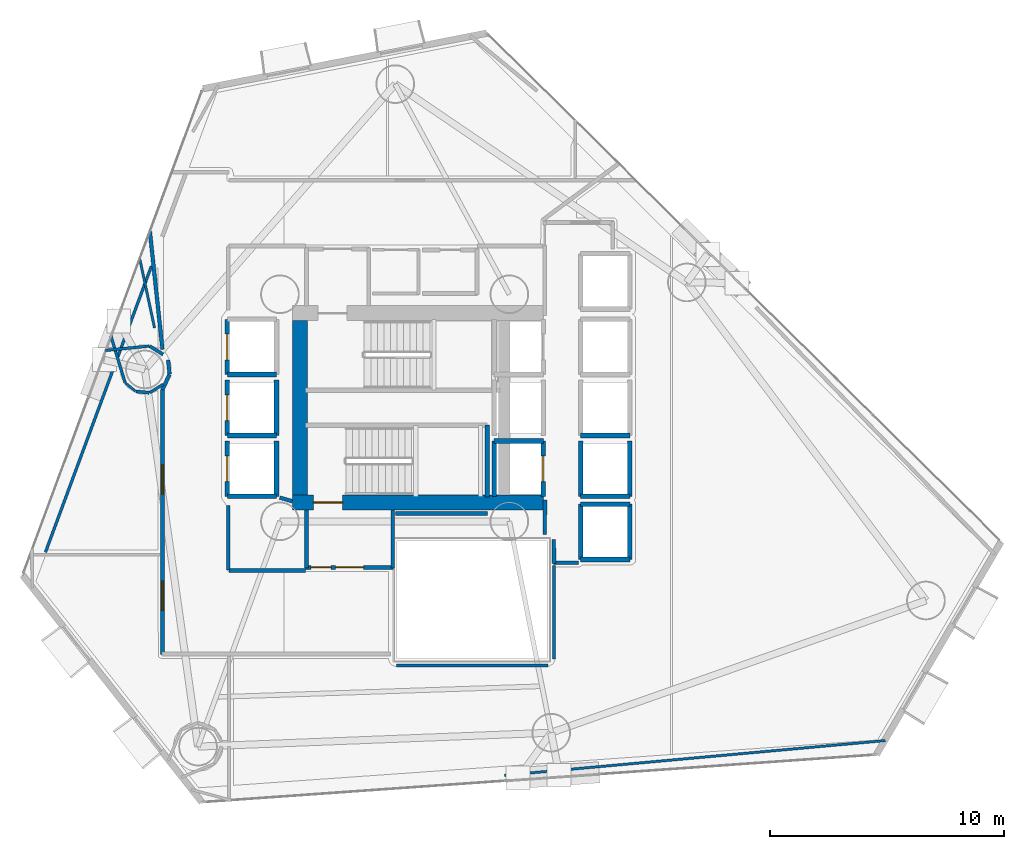
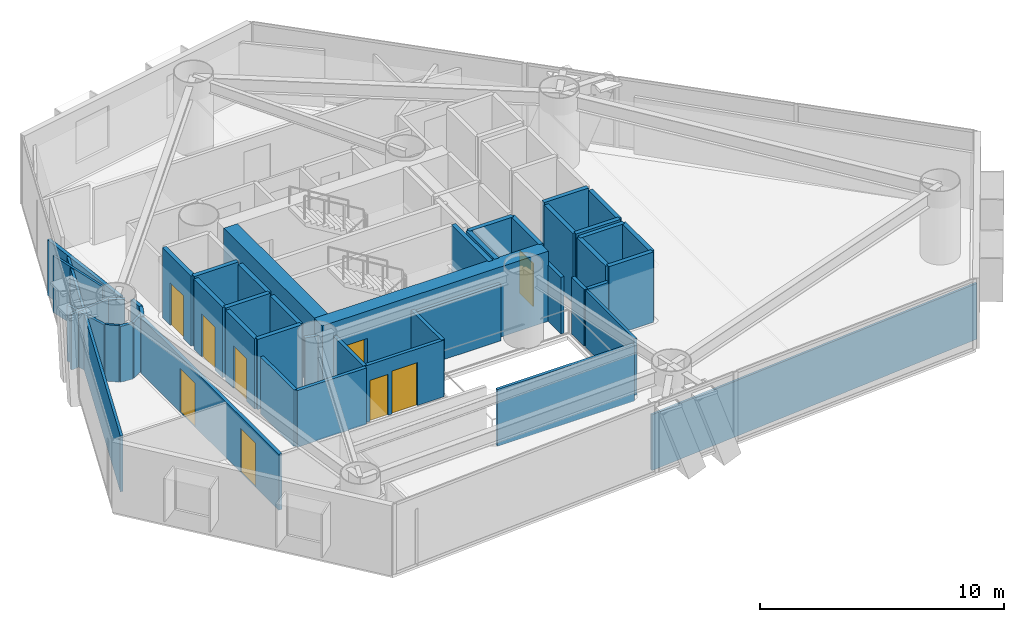
# One storey, part 18 of 24: 47 walls, 9 doors, 9 openings.
"""IFC4 building model written with IfcOpenShell, lengths in metres."""

import ifcopenshell
import ifcopenshell.guid

model = None  # the IFC model being written
_history = None  # IfcOwnerHistory: only IFC2X3 demands one
_inside = {}  # id of a spatial element -> (the spatial element, [elements in it])
_under = {}  # id of a project, library or spatial element -> (it, [spatial elements below it])
_declared = {}  # id of a project -> (the project, [libraries it declares])
_typed = {}  # id of a type object -> (the type object, [elements of that type])
_made_of = {}  # id of a material, layer set ... -> (it, [elements and type objects made of it])


def new_model(schema):
    """Start an empty IFC model of exactly this schema.

    Asked for "IFC4X3", IfcOpenShell would pick the latest addendum, in which some entities
    have other attributes; the version numbers below select the first issue.
    IFC2X3 requires an IfcOwnerHistory on every rooted entity: one is made here for all.
    """
    global model, _history
    if schema == "IFC4X3":
        model = ifcopenshell.file(schema_version=(4, 3, 0, 0))
    else:
        model = ifcopenshell.file(schema=schema)
    _inside.clear()
    _under.clear()
    _declared.clear()
    _typed.clear()
    _made_of.clear()
    _history = None
    if model.schema == "IFC2X3":
        org = make("IfcOrganization", Name="unknown")
        user = make(
            "IfcPersonAndOrganization",
            ThePerson=make("IfcPerson", FamilyName="unknown"),
            TheOrganization=org,
        )
        app = make(
            "IfcApplication",
            ApplicationDeveloper=org,
            Version="unknown",
            ApplicationFullName="unknown",
            ApplicationIdentifier="unknown",
        )
        _history = make(
            "IfcOwnerHistory",
            OwningUser=user,
            OwningApplication=app,
            ChangeAction="ADDED",
            CreationDate=0,
        )
    return model


def make(cls, **values):
    """One entity of the class cls with the attributes given. An attribute that is None is left unset."""
    return model.create_entity(
        cls, **{name: value for name, value in values.items() if value is not None}
    )


def rooted(cls, **values):
    """An entity with a GlobalId (a new one), such as an element, a storey or a relation."""
    return make(cls, GlobalId=ifcopenshell.guid.new(), OwnerHistory=_history, **values)


def si_unit(unit_type, name, prefix=None):
    """IfcSIUnit, for example si_unit("LENGTHUNIT", "METRE", prefix="MILLI")."""
    return make("IfcSIUnit", UnitType=unit_type, Prefix=prefix, Name=name)


def assignment(units):
    """IfcUnitAssignment: the units of a project."""
    return None if units is None else make("IfcUnitAssignment", Units=units)


def point(xyz):
    """IfcCartesianPoint."""
    return None if xyz is None else make("IfcCartesianPoint", Coordinates=xyz)


def direction(xyz):
    """IfcDirection."""
    return None if xyz is None else make("IfcDirection", DirectionRatios=xyz)


def frame(location, z_axis=None, x_axis=None):
    """IfcAxis2Placement3D, a coordinate frame: its origin and axes. An axis left out is left unset."""
    return make(
        "IfcAxis2Placement3D",
        Location=point(location),
        Axis=direction(z_axis),
        RefDirection=direction(x_axis),
    )


def frame_2d(location, x_axis=None):
    """IfcAxis2Placement2D, a coordinate frame in the plane: its origin and x axis."""
    return make(
        "IfcAxis2Placement2D", Location=point(location), RefDirection=direction(x_axis)
    )


def origin():
    """The frame at (0, 0, 0) with its axes left unset."""
    return frame((0.0, 0.0, 0.0))


def place(relative_to, where):
    """IfcLocalPlacement: puts the frame where relative to a parent placement (None: the world)."""
    return make(
        "IfcLocalPlacement", PlacementRelTo=relative_to, RelativePlacement=where
    )


def context(
    kind, dimensions, precision=None, world=None, true_north=None, identifier=None
):
    """IfcGeometricRepresentationContext, for example the 3D "Model" context."""
    return make(
        "IfcGeometricRepresentationContext",
        ContextIdentifier=identifier,
        ContextType=kind,
        CoordinateSpaceDimension=dimensions,
        Precision=precision,
        WorldCoordinateSystem=world,
        TrueNorth=true_north,
    )


def subcontext(parent, identifier, kind, view, scale=None):
    """IfcGeometricRepresentationSubContext, for example "Body" below "Model"."""
    return make(
        "IfcGeometricRepresentationSubContext",
        ContextIdentifier=identifier,
        ContextType=kind,
        ParentContext=parent,
        TargetScale=scale,
        TargetView=view,
    )


def project(units=None, contexts=None):
    """IfcProject with its units and contexts."""
    return rooted(
        "IfcProject",
        Name="project",
        RepresentationContexts=contexts,
        UnitsInContext=assignment(units),
    )


def spatial(cls, under=None, at=None, **own):
    """A site, building, storey or space (cls), placed at a placement, below another one or the project."""
    s = rooted(cls, ObjectPlacement=at, **own)
    if under is not None:
        _under.setdefault(under.id(), (under, []))[1].append(s)
    return s


def profile(cls, at=None, kind="AREA", **sizes):
    """A parametric profile (cls). Its sizes go by their IFC names, for example OverallWidth=200.0."""
    return make(cls, ProfileType=kind, Position=at, **sizes)


def rectangle(**sizes):
    """IfcRectangleProfileDef."""
    return profile("IfcRectangleProfileDef", **sizes)


def extrude(swept, where, along, depth):
    """IfcExtrudedAreaSolid: the profile swept, set in the frame where, extruded along a direction by depth."""
    return make(
        "IfcExtrudedAreaSolid",
        SweptArea=swept,
        Position=where,
        ExtrudedDirection=direction(along),
        Depth=depth,
    )


def shape(context_of_items, identifier, shape_type, items):
    """IfcShapeRepresentation: the items that make up one representation, for example the "Body"."""
    return make(
        "IfcShapeRepresentation",
        ContextOfItems=context_of_items,
        RepresentationIdentifier=identifier,
        RepresentationType=shape_type,
        Items=items,
    )


def material(Name=None, Category=None):
    """IfcMaterial."""
    return make("IfcMaterial", Name=Name, Category=Category)


def layer(
    of_material, thickness, ventilated=None, Name=None, Category=None, Priority=None
):
    """IfcMaterialLayer: one layer of a wall or slab, of a material (None: an air gap)."""
    return make(
        "IfcMaterialLayer",
        Material=of_material,
        LayerThickness=thickness,
        IsVentilated=ventilated,
        Name=Name,
        Category=Category,
        Priority=Priority,
    )


def layer_set(layers, Name=None):
    """IfcMaterialLayerSet."""
    return make("IfcMaterialLayerSet", MaterialLayers=layers, LayerSetName=Name)


def made_of(thing, what):
    """Note that an element or type object is made of a material, layer set ...; save() writes the relation."""
    if what is not None:
        _made_of.setdefault(what.id(), (what, []))[1].append(thing)
    return thing


def type_object(cls, material=None, **own):
    """A type object (cls), such as IfcWallType, which elements share."""
    return made_of(rooted(cls, **own), material)


def element(
    cls,
    number,
    at=None,
    inside=None,
    cuts=None,
    type_object=None,
    material=None,
    context=None,
    identifier="Body",
    shape_type=None,
    held_by="IfcProductDefinitionShape",
    body=None,
    shapes=None,
    **own,
):
    """One element of the class cls, such as IfcWall. Its Tag is "e" and its number.

    at: its placement. inside: the storey or other place that contains it. cuts: it is an
    opening in that element (IfcRelVoidsElement). A single representation is given by context,
    identifier, shape_type and body (its items); several are given by shapes. held_by: the class
    of the entity that holds the representations. save() writes the other relations.
    """
    e = rooted(cls, Tag="e%d" % number, ObjectPlacement=at, **own)
    if body is not None:
        shapes = [shape(context, identifier, shape_type, body)]
    if shapes is not None:
        e.Representation = make(held_by, Representations=shapes)
    if inside is not None:
        _inside.setdefault(inside.id(), (inside, []))[1].append(e)
    if cuts is not None:
        rooted(
            "IfcRelVoidsElement", RelatingBuildingElement=cuts, RelatedOpeningElement=e
        )
    if type_object is not None:
        _typed.setdefault(type_object.id(), (type_object, []))[1].append(e)
    return made_of(e, material)


def fill(opening, filler):
    """IfcRelFillsElement: the door or window that sits in an opening."""
    return rooted(
        "IfcRelFillsElement",
        RelatingOpeningElement=opening,
        RelatedBuildingElement=filler,
    )


def aggregate(whole, parts):
    """IfcRelAggregates: a whole, such as a stair, and the parts it consists of."""
    return rooted("IfcRelAggregates", RelatingObject=whole, RelatedObjects=parts)


def save(model, path):
    """Write the relations noted so far, then the file.

    IfcRelAggregates (storeys below a building ...), IfcRelContainedInSpatialStructure (elements
    in a storey), IfcRelDefinesByType, IfcRelAssociatesMaterial and IfcRelDeclares: one each for
    every whole, place, type object, material and project.
    """
    for whole, parts in _under.values():
        aggregate(whole, parts)
    for where, things in _inside.values():
        rooted(
            "IfcRelContainedInSpatialStructure",
            RelatedElements=things,
            RelatingStructure=where,
        )
    for kind, things in _typed.values():
        rooted("IfcRelDefinesByType", RelatedObjects=things, RelatingType=kind)
    for what, things in _made_of.values():
        rooted("IfcRelAssociatesMaterial", RelatedObjects=things, RelatingMaterial=what)
    for by, libraries in _declared.values():
        rooted("IfcRelDeclares", RelatingContext=by, RelatedDefinitions=libraries)
    model.write(path)


model = new_model("IFC4")

# Units and contexts
model_context = context("Model", 3, precision=1e-05, world=origin(), true_north=direction((0.0, 1.0)))
body_context = subcontext(model_context, "Body", "Model", "MODEL_VIEW")
ifc_project = project(units=[si_unit("LENGTHUNIT", "METRE"), si_unit("AREAUNIT", "SQUARE_METRE"), si_unit("VOLUMEUNIT", "CUBIC_METRE"), si_unit("PLANEANGLEUNIT", "RADIAN"), si_unit("MASSUNIT", "GRAM", prefix="KILO")], contexts=[model_context])

# Site, building, storey
site_placement = place(None, origin())
site = spatial("IfcSite", under=ifc_project, at=site_placement, CompositionType="ELEMENT")
building_placement = place(site_placement, origin())
building = spatial("IfcBuilding", under=site, at=building_placement, Name="Qianvela Tower", CompositionType="ELEMENT")
storey_placement = place(building_placement, frame((0.0, 0.0, 59.89990234375)))
storey = spatial("IfcBuildingStorey", under=building, at=storey_placement, Name="L14", CompositionType="ELEMENT", Elevation=59.89990234375)

# Wall, opening, door
ifc_material_1 = material(Name="Concrete C60", Category="concrete")
ifc_layer_1 = layer(ifc_material_1, 0.64990234375)
ifc_layer_set_1 = layer_set([ifc_layer_1], Name="Concrete C60")
wall_type_1 = type_object("IfcWallType", Name="WT-CORE-650", PredefinedType="SHEAR", material=ifc_layer_set_1)
wall_1_placement = place(storey_placement, frame((29.1298828125, 24.655029296875, 0.0), z_axis=(0.0, 0.0, 1.0), x_axis=(1.0, 0.0, 0.0)))
wall_1 = element("IfcWall", 1, at=wall_1_placement, inside=storey, type_object=wall_type_1, Name="L14 South Core Shear Wall", PredefinedType="SHEAR", context=body_context, shape_type="SweptSolid", body=[
    extrude(rectangle(XDim=10.72021484375, YDim=0.64990234375, at=frame_2d((5.360107421875, 0.0))), origin(), (0.0, 0.0, 1.0), 3.52001953125),
])
opening_1_placement = place(wall_1_placement, frame((0.89501953125, 0.0, 0.0)))
opening_1 = element("IfcOpeningElement", 2, at=opening_1_placement, cuts=wall_1, Name="Opening D-ST1", PredefinedType="OPENING", context=body_context, shape_type="SweptSolid", body=[
    extrude(rectangle(XDim=1.25, YDim=2.14990234375, at=frame_2d((0.625, 1.074951171875))), frame((0.0, 0.3349609375, 0.0), z_axis=(0.0, -1.0, 0.0), x_axis=(1.0, 0.0, 0.0)), (0.0, 0.0, 1.0), 0.669921875),
])
ifc_material_2 = material(Name="Galvanised Fire Steel Q355B", Category="steel")
door_type_1 = type_object("IfcDoorType", Name="DT-STAIR-FD90", OperationType="NOTDEFINED", PredefinedType="DOOR", material=ifc_material_2)
door_1_placement = place(opening_1_placement, origin())
door_1 = element("IfcDoor", 3, at=door_1_placement, inside=storey, type_object=door_type_1, Name="L14 Stair ST-2 Exit Door", OperationType="SINGLE_SWING_RIGHT", OverallHeight=2.14990234375, OverallWidth=1.25, PredefinedType="DOOR", context=body_context, shape_type="SweptSolid", body=[
    extrude(rectangle(XDim=1.25, YDim=2.14990234375, at=frame_2d((0.625, 1.074951171875))), frame((0.0, 0.02490234375, 0.0), z_axis=(0.0, -1.0, 0.0), x_axis=(1.0, 0.0, 0.0)), (0.0, 0.0, 1.0), 0.050048828125),
])
fill(opening_1, door_1)

# Wall
wall_2_placement = place(storey_placement, frame((29.455078125, 24.97998046875, 0.0), z_axis=(0.0, 0.0, 1.0), x_axis=(0.0, 1.0, 0.0)))
element("IfcWall", 4, at=wall_2_placement, inside=storey, type_object=wall_type_1, Name="L14 West Core Shear Wall", PredefinedType="SHEAR", context=body_context, shape_type="SweptSolid", body=[
    extrude(rectangle(XDim=7.43994140625, YDim=0.64990234375, at=frame_2d((3.719970703125, 0.0))), origin(), (0.0, 0.0, 1.0), 3.52001953125),
])

# Wall, openings, doors
ifc_material_3 = material(Name="Fire-Rated Gypsum and Concrete Block", Category="concrete")
ifc_layer_2 = layer(ifc_material_3, 0.159912109375)
ifc_layer_set_2 = layer_set([ifc_layer_2], Name="Fire-Rated Gypsum and Concrete Block")
wall_type_2 = type_object("IfcWallType", Name="WT-CORR-160", PredefinedType="PARTITIONING", material=ifc_layer_set_2)
wall_3_placement = place(storey_placement, frame((33.449951171875, 21.881103515625, 0.0), z_axis=(0.0, 0.0, 1.0), x_axis=(-1.0, 0.0, 0.0)))
wall_3 = element("IfcWall", 5, at=wall_3_placement, inside=storey, type_object=wall_type_2, Name="L14 Partition 5", PredefinedType="PARTITIONING", context=body_context, shape_type="SweptSolid", body=[
    extrude(rectangle(XDim=3.75, YDim=0.159912109375, at=frame_2d((1.875, 0.0))), origin(), (0.0, 0.0, 1.0), 2.840087890625),
])
opening_2_placement = place(wall_3_placement, frame((1.27490234375, 0.0, 0.0)))
opening_2 = element("IfcOpeningElement", 6, at=opening_2_placement, cuts=wall_3, Name="Opening D-LB1", PredefinedType="OPENING", context=body_context, shape_type="SweptSolid", body=[
    extrude(rectangle(XDim=1.199951171875, YDim=2.14990234375, at=frame_2d((0.60009765625, 1.074951171875))), frame((0.0, 0.08984375, 0.0), z_axis=(0.0, -1.0, 0.0), x_axis=(1.0, 0.0, 0.0)), (0.0, 0.0, 1.0), 0.179931640625),
])
opening_3_placement = place(wall_3_placement, frame((2.659912109375, 0.0, 0.0)))
opening_3 = element("IfcOpeningElement", 7, at=opening_3_placement, cuts=wall_3, Name="Opening D-LB2", PredefinedType="OPENING", context=body_context, shape_type="SweptSolid", body=[
    extrude(rectangle(XDim=0.860107421875, YDim=2.050048828125, at=frame_2d((0.43017578125, 1.02490234375))), frame((0.0, 0.08984375, 0.0), z_axis=(0.0, -1.0, 0.0), x_axis=(1.0, 0.0, 0.0)), (0.0, 0.0, 1.0), 0.179931640625),
])
ifc_material_4 = material(Name="Glazed Fire-Rated Steel Frame", Category="steel")
door_type_2 = type_object("IfcDoorType", Name="DT-LOBBY-FD90", OperationType="NOTDEFINED", PredefinedType="DOOR", material=ifc_material_4)
door_2_placement = place(opening_2_placement, origin())
door_2 = element("IfcDoor", 8, at=door_2_placement, inside=storey, type_object=door_type_2, Name="L14 Door L14 Firefighting Lobby South to L14 Floor Corridor", OperationType="SINGLE_SWING_LEFT", OverallHeight=2.14990234375, OverallWidth=1.199951171875, PredefinedType="DOOR", context=body_context, shape_type="SweptSolid", body=[
    extrude(rectangle(XDim=1.199951171875, YDim=2.14990234375, at=frame_2d((0.60009765625, 1.074951171875))), frame((0.0, 0.02490234375, 0.0), z_axis=(0.0, -1.0, 0.0), x_axis=(1.0, 0.0, 0.0)), (0.0, 0.0, 1.0), 0.050048828125),
])
fill(opening_2, door_2)
ifc_material_5 = material(Name="Insulated Steel Fire Door Q355B", Category="steel")
door_type_3 = type_object("IfcDoorType", Name="DT-LOBBY-FD90-860", OperationType="NOTDEFINED", PredefinedType="DOOR", material=ifc_material_5)
door_3_placement = place(opening_3_placement, origin())
door_3 = element("IfcDoor", 9, at=door_3_placement, inside=storey, type_object=door_type_3, Name="L14 Door L14 Firefighting Lobby South to L14 Floor Corridor", OperationType="SINGLE_SWING_LEFT", OverallHeight=2.050048828125, OverallWidth=0.860107421875, PredefinedType="DOOR", context=body_context, shape_type="SweptSolid", body=[
    extrude(rectangle(XDim=0.860107421875, YDim=2.050048828125, at=frame_2d((0.43017578125, 1.02490234375))), frame((0.0, 0.02490234375, 0.0), z_axis=(0.0, -1.0, 0.0), x_axis=(1.0, 0.0, 0.0)), (0.0, 0.0, 1.0), 0.050048828125),
])
fill(opening_3, door_3)

# Walls
for number, where, z_axis, x_axis, name in (
    (10, (29.73095703125, 21.85009765625, 0.0), (0.0, 0.0, 1.0), (0.0, 1.0, 0.0), "L14 Partition 6"),
    (11, (33.4189453125, 24.342041015625, 0.0), (0.0, 0.0, 1.0), (0.0, -1.0, 0.0), "L14 Partition 8"),
):
    element("IfcWall", number, at=place(storey_placement, frame(where, z_axis=z_axis, x_axis=x_axis)), inside=storey, type_object=wall_type_2, Name=name, PredefinedType="PARTITIONING", context=body_context, shape_type="SweptSolid", body=[
        extrude(rectangle(XDim=2.491943359375, YDim=0.159912109375, at=frame_2d((1.24609375, 0.0))), origin(), (0.0, 0.0, 1.0), 2.840087890625),
    ])
wall_4_placement = place(storey_placement, frame((41.360107421875, 22.0810546875, 0.0), z_axis=(0.0, 0.0, 1.0), x_axis=(-1.0, 0.0, 0.0)))
element("IfcWall", 12, at=wall_4_placement, inside=storey, type_object=wall_type_2, Name="L14 Partition 15", PredefinedType="PARTITIONING", context=body_context, shape_type="SweptSolid", body=[
    extrude(rectangle(XDim=1.080078125, YDim=0.159912109375, at=frame_2d((0.5400390625, 0.0))), origin(), (0.0, 0.0, 1.0), 2.840087890625),
])
wall_5_placement = place(storey_placement, frame((40.31103515625, 22.05029296875, 0.0), z_axis=(0.0, 0.0, 1.0), x_axis=(-0.011836292006, 0.999929948642, 0.0)))
element("IfcWall", 13, at=wall_5_placement, inside=storey, type_object=wall_type_2, Name="L14 Partition 16", PredefinedType="PARTITIONING", context=body_context, shape_type="SweptSolid", body=[
    extrude(rectangle(XDim=1.03125, YDim=0.159912109375, at=frame_2d((0.515625, 0.0))), origin(), (0.0, 0.0, 1.0), 2.840087890625),
])
wall_6_placement = place(storey_placement, frame((39.910888671875, 23.27978515625, 0.0), z_axis=(0.0, 0.0, 1.0), x_axis=(0.009397771291, 0.999955839972, 0.0)))
element("IfcWall", 14, at=wall_6_placement, inside=storey, type_object=wall_type_2, Name="L14 Partition 17", PredefinedType="PARTITIONING", context=body_context, shape_type="SweptSolid", body=[
    extrude(rectangle(XDim=1.480712890625, YDim=0.159912109375, at=frame_2d((0.740234375, 0.0))), origin(), (0.0, 0.0, 1.0), 2.840087890625),
])
wall_7_placement = place(storey_placement, frame((29.1298828125, 24.706298828125, 0.0), z_axis=(0.0, 0.0, 1.0), x_axis=(-0.960451214223, 0.278448316742, 0.0)))
element("IfcWall", 15, at=wall_7_placement, inside=storey, type_object=wall_type_2, Name="L14 Partition 31", PredefinedType="PARTITIONING", context=body_context, shape_type="SweptSolid", body=[
    extrude(rectangle(XDim=0.56201171875, YDim=0.159912109375, at=frame_2d((0.281005859375, 0.0))), origin(), (0.0, 0.0, 1.0), 2.840087890625),
])
wall_8_placement = place(storey_placement, frame((37.466552734375, 24.180908203125, 0.0), z_axis=(0.0, 0.0, 1.0), x_axis=(-1.0, 0.0, 0.0)))
element("IfcWall", 16, at=wall_8_placement, inside=storey, type_object=wall_type_2, Name="L14 Partition 38", PredefinedType="PARTITIONING", context=body_context, shape_type="SweptSolid", body=[
    extrude(rectangle(XDim=3.9365234375, YDim=0.159912109375, at=frame_2d((1.96826171875, 0.0))), origin(), (0.0, 0.0, 1.0), 2.840087890625),
])
wall_9_placement = place(storey_placement, frame((23.5810546875, 31.197265625, 0.0), z_axis=(0.0, 0.0, 1.0), x_axis=(-0.106272750785, 0.994337016529, 0.0)))
element("IfcWall", 17, at=wall_9_placement, inside=storey, type_object=wall_type_2, Name="L14 Partition 39", PredefinedType="PARTITIONING", context=body_context, shape_type="SweptSolid", body=[
    extrude(rectangle(XDim=5.0654296875, YDim=0.159912109375, at=frame_2d((2.53271484375, 0.0))), origin(), (0.0, 0.0, 1.0), 2.798095703125),
])
wall_10_placement = place(storey_placement, frame((26.388916015625, 24.530517578125, 0.0), z_axis=(0.0, 0.0, 1.0), x_axis=(0.0, -1.0, 0.0)))
element("IfcWall", 18, at=wall_10_placement, inside=storey, type_object=wall_type_2, Name="L14 Partition 48", PredefinedType="PARTITIONING", context=body_context, shape_type="SweptSolid", body=[
    extrude(rectangle(XDim=2.75048828125, YDim=0.159912109375, at=frame_2d((1.375244140625, 0.0))), origin(), (0.0, 0.0, 1.0), 2.840087890625),
])
wall_11_placement = place(storey_placement, frame((26.419921875, 21.7490234375, 0.0), z_axis=(0.0, 0.0, 1.0), x_axis=(1.0, 0.0, 0.0)))
element("IfcWall", 19, at=wall_11_placement, inside=storey, type_object=wall_type_2, Name="L14 Partition 49 seg 1", PredefinedType="PARTITIONING", context=body_context, shape_type="SweptSolid", body=[
    extrude(rectangle(XDim=3.280029296875, YDim=0.159912109375, at=frame_2d((1.64013671875, 0.0))), origin(), (0.0, 0.0, 1.0), 2.840087890625),
])

# Wall, openings, doors
wall_12_placement = place(storey_placement, frame((23.5810546875, 18.14990234375, 0.0), z_axis=(0.0, 0.0, 1.0), x_axis=(0.0, 1.0, 0.0)))
wall_12 = element("IfcWall", 20, at=wall_12_placement, inside=storey, type_object=wall_type_2, Name="L14 Partition 51", PredefinedType="PARTITIONING", context=body_context, shape_type="SweptSolid", body=[
    extrude(rectangle(XDim=11.3330078125, YDim=0.159912109375, at=frame_2d((5.66650390625, 0.0))), origin(), (0.0, 0.0, 1.0), 2.798095703125),
])
opening_4_placement = place(wall_12_placement, frame((1.8994140625, 0.0, 0.0)))
opening_4 = element("IfcOpeningElement", 21, at=opening_4_placement, cuts=wall_12, Name="Opening D-LG1", PredefinedType="OPENING", context=body_context, shape_type="SweptSolid", body=[
    extrude(rectangle(XDim=1.25, YDim=2.199951171875, at=frame_2d((0.625, 1.10009765625))), frame((0.0, 0.08984375, 0.0), z_axis=(0.0, -1.0, 0.0), x_axis=(1.0, 0.0, 0.0)), (0.0, 0.0, 1.0), 0.179931640625),
])
opening_5_placement = place(wall_12_placement, frame((6.866943359375, 0.0, 0.0)))
opening_5 = element("IfcOpeningElement", 22, at=opening_5_placement, cuts=wall_12, Name="Opening D-LG1", PredefinedType="OPENING", context=body_context, shape_type="SweptSolid", body=[
    extrude(rectangle(XDim=1.25, YDim=2.199951171875, at=frame_2d((0.625, 1.10009765625))), frame((0.0, 0.08984375, 0.0), z_axis=(0.0, -1.0, 0.0), x_axis=(1.0, 0.0, 0.0)), (0.0, 0.0, 1.0), 0.179931640625),
])
ifc_material_6 = material(Name="Anodised Aluminium Acoustic Glass Door", Category="aluminium")
door_type_4 = type_object("IfcDoorType", Name="DT-LOUNGE-1250", OperationType="NOTDEFINED", PredefinedType="DOOR", material=ifc_material_6)
door_4_placement = place(opening_4_placement, origin())
door_4 = element("IfcDoor", 23, at=door_4_placement, inside=storey, type_object=door_type_4, Name="L14 Door Media Practice Cinema L14-01 to L14 Floor Corridor", OperationType="SINGLE_SWING_RIGHT", OverallHeight=2.199951171875, OverallWidth=1.25, PredefinedType="DOOR", context=body_context, shape_type="SweptSolid", body=[
    extrude(rectangle(XDim=1.25, YDim=2.199951171875, at=frame_2d((0.625, 1.10009765625))), frame((0.0, 0.02490234375, 0.0), z_axis=(0.0, -1.0, 0.0), x_axis=(1.0, 0.0, 0.0)), (0.0, 0.0, 1.0), 0.050048828125),
])
fill(opening_4, door_4)
door_5_placement = place(opening_5_placement, origin())
door_5 = element("IfcDoor", 24, at=door_5_placement, inside=storey, type_object=door_type_4, Name="L14 Door Maker Craft Workshop L14-03 to L14 Floor Corridor", OperationType="SINGLE_SWING_RIGHT", OverallHeight=2.199951171875, OverallWidth=1.25, PredefinedType="DOOR", context=body_context, shape_type="SweptSolid", body=[
    extrude(rectangle(XDim=1.25, YDim=2.199951171875, at=frame_2d((0.625, 1.10009765625))), frame((0.0, 0.02490234375, 0.0), z_axis=(0.0, -1.0, 0.0), x_axis=(1.0, 0.0, 0.0)), (0.0, 0.0, 1.0), 0.050048828125),
])
fill(opening_5, door_5)

# Walls
wall_13_placement = place(storey_placement, frame((23.578125, 29.4697265625, 0.0), z_axis=(0.0, 0.0, 1.0), x_axis=(0.421827918194, 0.906675910914, 0.0)))
element("IfcWall", 25, at=wall_13_placement, inside=storey, type_object=wall_type_2, Name="L14 Partition 52", PredefinedType="PARTITIONING", context=body_context, shape_type="SweptSolid", body=[
    extrude(rectangle(XDim=0.720458984375, YDim=0.159912109375, at=frame_2d((0.3603515625, 0.0))), origin(), (0.0, 0.0, 1.0), 2.840087890625),
])
wall_14_placement = place(storey_placement, frame((23.884765625, 30.13916015625, 0.0), z_axis=(0.0, 0.0, 1.0), x_axis=(-0.0981888168, 0.995167803064, 0.0)))
element("IfcWall", 26, at=wall_14_placement, inside=storey, type_object=wall_type_2, Name="L14 Partition 53", PredefinedType="PARTITIONING", context=body_context, shape_type="SweptSolid", body=[
    extrude(rectangle(XDim=0.606689453125, YDim=0.159912109375, at=frame_2d((0.30322265625, 0.0))), origin(), (0.0, 0.0, 1.0), 2.840087890625),
])
ifc_material_7 = material(Name="Lightweight Gypsum Room Partition")
ifc_layer_3 = layer(ifc_material_7, 0.10498046875)
ifc_layer_set_3 = layer_set([ifc_layer_3], Name="Lightweight Gypsum Room Partition")
wall_type_3 = type_object("IfcWallType", Name="WT-PART-105", PredefinedType="PARTITIONING", material=ifc_layer_set_3)
wall_15_placement = place(storey_placement, frame((54.46044921875, 14.4833984375, 0.0), z_axis=(0.0, 0.0, 1.0), x_axis=(-0.995866332249, -0.090830877425, 0.0)))
element("IfcWall", 27, at=wall_15_placement, inside=storey, type_object=wall_type_3, Name="L14 Partition 89 seg 1", PredefinedType="PARTITIONING", context=body_context, shape_type="SweptSolid", body=[
    extrude(rectangle(XDim=16.334228515625, YDim=0.10498046875, at=frame_2d((8.1669921875, 0.0))), origin(), (0.0, 0.0, 1.0), 2.798095703125),
])
wall_16_placement = place(storey_placement, frame((21.990234375, 29.768798828125, 0.0), z_axis=(0.0, 0.0, 1.0), x_axis=(0.773062635709, -0.634329694458, 0.0)))
element("IfcWall", 28, at=wall_16_placement, inside=storey, type_object=wall_type_3, Name="L14 Partition 95", PredefinedType="PARTITIONING", context=body_context, shape_type="SweptSolid", body=[
    extrude(rectangle(XDim=0.572021484375, YDim=0.10498046875, at=frame_2d((0.2861328125, 0.0))), origin(), (0.0, 0.0, 1.0), 2.840087890625),
])
wall_17_placement = place(storey_placement, frame((22.60986328125, 35.065185546875, 0.0), z_axis=(0.0, 0.0, 1.0), x_axis=(0.209252989805, -0.977861537365, 0.0)))
element("IfcWall", 29, at=wall_17_placement, inside=storey, type_object=wall_type_3, Name="L14 Partition 101 seg 1", PredefinedType="PARTITIONING", context=body_context, shape_type="SweptSolid", body=[
    extrude(rectangle(XDim=3.01953125, YDim=0.10498046875, at=frame_2d((1.509765625, 0.0))), origin(), (0.0, 0.0, 1.0), 2.840087890625),
])
ifc_material_8 = material(Name="Insulated Gypsum Stud Partition")
ifc_layer_4 = layer(ifc_material_8, 0.1201171875)
ifc_layer_set_4 = layer_set([ifc_layer_4], Name="Insulated Gypsum Stud Partition")
wall_type_4 = type_object("IfcWallType", Name="WT-PART-120", PredefinedType="PARTITIONING", material=ifc_layer_set_4)
wall_18_placement = place(storey_placement, frame((40.309814453125, 17.972412109375, 0.0), z_axis=(0.0, 0.0, 1.0), x_axis=(0.000305362145, 0.999999953377, 0.0)))
element("IfcWall", 30, at=wall_18_placement, inside=storey, type_object=wall_type_4, Name="L14 Partition 73 seg 1", PredefinedType="PARTITIONING", context=body_context, shape_type="SweptSolid", body=[
    extrude(rectangle(XDim=3.99755859375, YDim=0.1201171875, at=frame_2d((1.998779296875, 0.0))), origin(), (0.0, 0.0, 1.0), 2.840087890625),
])
wall_19_placement = place(storey_placement, frame((23.01806640625, 31.3369140625, 0.0), z_axis=(0.0, 0.0, 1.0), x_axis=(-0.995197410875, -0.097888269922, 0.0)))
element("IfcWall", 31, at=wall_19_placement, inside=storey, type_object=wall_type_4, Name="L14 Partition 91", PredefinedType="PARTITIONING", context=body_context, shape_type="SweptSolid", body=[
    extrude(rectangle(XDim=1.885498046875, YDim=0.1201171875, at=frame_2d((0.94287109375, 0.0))), origin(), (0.0, 0.0, 1.0), 2.798095703125),
])
wall_20_placement = place(storey_placement, frame((21.377197265625, 31.771484375, 0.0), z_axis=(0.0, 0.0, 1.0), x_axis=(0.2903009614, -0.956935395839, 0.0)))
element("IfcWall", 32, at=wall_20_placement, inside=storey, type_object=wall_type_4, Name="L14 Partition 94", PredefinedType="PARTITIONING", context=body_context, shape_type="SweptSolid", body=[
    extrude(rectangle(XDim=2.0771484375, YDim=0.1201171875, at=frame_2d((1.03857421875, 0.0))), origin(), (0.0, 0.0, 1.0), 2.798095703125),
])
wall_21_placement = place(storey_placement, frame((23.03759765625, 29.34765625, 0.0), z_axis=(0.0, 0.0, 1.0), x_axis=(0.850157603054, 0.526528299306, 0.0)))
element("IfcWall", 33, at=wall_21_placement, inside=storey, type_object=wall_type_4, Name="L14 Partition 97", PredefinedType="PARTITIONING", context=body_context, shape_type="SweptSolid", body=[
    extrude(rectangle(XDim=0.677490234375, YDim=0.1201171875, at=frame_2d((0.3388671875, 0.0))), origin(), (0.0, 0.0, 1.0), 2.798095703125),
])
wall_22_placement = place(storey_placement, frame((18.58251953125, 22.53125, 0.0), z_axis=(0.0, 0.0, 1.0), x_axis=(0.347261250583, 0.937768427622, 0.0)))
element("IfcWall", 34, at=wall_22_placement, inside=storey, type_object=wall_type_4, Name="L14 Partition 100", PredefinedType="PARTITIONING", context=body_context, shape_type="SweptSolid", body=[
    extrude(rectangle(XDim=13.02685546875, YDim=0.1201171875, at=frame_2d((6.513427734375, 0.0))), origin(), (0.0, 0.0, 1.0), 2.798095703125),
])
ifc_material_9 = material(Name="Acoustic Double Gypsum Stud Partition")
ifc_layer_5 = layer(ifc_material_9, 0.139892578125)
ifc_layer_set_5 = layer_set([ifc_layer_5], Name="Acoustic Double Gypsum Stud Partition")
wall_type_5 = type_object("IfcWallType", Name="WT-ROOM-140", PredefinedType="PARTITIONING", material=ifc_layer_set_5)
wall_23_placement = place(storey_placement, frame((33.572509765625, 17.690185546875, 0.0), z_axis=(0.0, 0.0, 1.0), x_axis=(0.999999795023, 0.000640277071, 0.0)))
element("IfcWall", 35, at=wall_23_placement, inside=storey, type_object=wall_type_5, Name="L14 Partition 72", PredefinedType="PARTITIONING", context=body_context, shape_type="SweptSolid", body=[
    extrude(rectangle(XDim=6.482177734375, YDim=0.139892578125, at=frame_2d((3.2412109375, 0.0))), origin(), (0.0, 0.0, 1.0), 2.840087890625),
])
wall_24_placement = place(storey_placement, frame((23.6083984375, 30.981689453125, 0.0), z_axis=(0.0, 0.0, 1.0), x_axis=(-0.852045812822, 0.523467222328, 0.0)))
element("IfcWall", 36, at=wall_24_placement, inside=storey, type_object=wall_type_5, Name="L14 Partition 90", PredefinedType="PARTITIONING", context=body_context, shape_type="SweptSolid", body=[
    extrude(rectangle(XDim=0.670166015625, YDim=0.139892578125, at=frame_2d((0.3349609375, 0.0))), origin(), (0.0, 0.0, 1.0), 2.798095703125),
])
wall_25_placement = place(storey_placement, frame((22.448974609375, 29.399169921875, 0.0), z_axis=(0.0, 0.0, 1.0), x_axis=(0.995167364461, -0.098193262045, 0.0)))
element("IfcWall", 37, at=wall_25_placement, inside=storey, type_object=wall_type_5, Name="L14 Partition 96", PredefinedType="PARTITIONING", context=body_context, shape_type="SweptSolid", body=[
    extrude(rectangle(XDim=0.57177734375, YDim=0.139892578125, at=frame_2d((0.285888671875, 0.0))), origin(), (0.0, 0.0, 1.0), 2.798095703125),
])
ifc_material_10 = material(Name="Concrete C50", Category="concrete")
ifc_layer_6 = layer(ifc_material_10, 0.199951171875)
ifc_layer_set_6 = layer_set([ifc_layer_6], Name="Concrete C50")
wall_type_6 = type_object("IfcWallType", Name="WT-SHAFT-200", PredefinedType="SOLIDWALL", material=ifc_layer_set_6)
wall_26_placement = place(storey_placement, frame((37.449951171875, 24.89990234375, 0.0), z_axis=(0.0, 0.0, 1.0), x_axis=(0.0, 1.0, 0.0)))
element("IfcWall", 38, at=wall_26_placement, inside=storey, type_object=wall_type_6, Name="L14 Stair ST-2 East Wall", PredefinedType="SOLIDWALL", context=body_context, shape_type="SweptSolid", body=[
    extrude(rectangle(XDim=3.06005859375, YDim=0.199951171875, at=frame_2d((1.530029296875, 0.0))), origin(), (0.0, 0.0, 1.0), 3.52001953125),
])

# Wall, opening, door
wall_27_placement = place(storey_placement, frame((39.85009765625, 24.919921875, 0.0), z_axis=(0.0, 0.0, 1.0), x_axis=(0.0, 1.0, 0.0)))
wall_27 = element("IfcWall", 39, at=wall_27_placement, inside=storey, type_object=wall_type_6, Name="L14 Lift FL-2 E Shaft Wall", PredefinedType="SOLIDWALL", context=body_context, shape_type="SweptSolid", body=[
    extrude(rectangle(XDim=2.360107421875, YDim=0.199951171875, at=frame_2d((1.18017578125, 0.0))), origin(), (0.0, 0.0, 1.0), 3.52001953125),
])
opening_6_placement = place(wall_27_placement, frame((0.6298828125, 0.0, 0.0)))
opening_6 = element("IfcOpeningElement", 40, at=opening_6_placement, cuts=wall_27, Name="Opening LD-01", PredefinedType="OPENING", context=body_context, shape_type="SweptSolid", body=[
    extrude(rectangle(XDim=1.10009765625, YDim=2.14990234375, at=frame_2d((0.550048828125, 1.074951171875))), frame((0.0, 0.10986328125, 0.0), z_axis=(0.0, -1.0, 0.0), x_axis=(1.0, 0.0, 0.0)), (0.0, 0.0, 1.0), 0.219970703125),
])
ifc_material_11 = material(Name="Brushed Stainless Steel Lift Landing Door", Category="steel")
door_type_5 = type_object("IfcDoorType", Name="DT-LIFT-SLIDE-1100", OperationType="SLIDING_TO_LEFT", PredefinedType="DOOR", material=ifc_material_11)
door_6_placement = place(opening_6_placement, origin())
door_6 = element("IfcDoor", 41, at=door_6_placement, inside=storey, type_object=door_type_5, Name="L14 Lift FL-2 Sliding Landing Door", OperationType="SLIDING_TO_LEFT", OverallHeight=2.14990234375, OverallWidth=1.10009765625, PredefinedType="DOOR", context=body_context, shape_type="SweptSolid", body=[
    extrude(rectangle(XDim=1.10009765625, YDim=2.14990234375, at=frame_2d((0.550048828125, 1.074951171875))), frame((0.0, 0.02490234375, 0.0), z_axis=(0.0, -1.0, 0.0), x_axis=(1.0, 0.0, 0.0)), (0.0, 0.0, 1.0), 0.050048828125),
])
fill(opening_6, door_6)

# Walls
wall_28_placement = place(storey_placement, frame((37.75, 24.919921875, 0.0), z_axis=(0.0, 0.0, 1.0), x_axis=(0.0, 1.0, 0.0)))
element("IfcWall", 42, at=wall_28_placement, inside=storey, type_object=wall_type_6, Name="L14 Lift FL-2 W Shaft Wall", PredefinedType="SOLIDWALL", context=body_context, shape_type="SweptSolid", body=[
    extrude(rectangle(XDim=2.360107421875, YDim=0.199951171875, at=frame_2d((1.18017578125, 0.0))), origin(), (0.0, 0.0, 1.0), 3.52001953125),
])
wall_29_placement = place(storey_placement, frame((37.75, 27.280029296875, 0.0), z_axis=(0.0, 0.0, 1.0), x_axis=(1.0, 0.0, 0.0)))
element("IfcWall", 43, at=wall_29_placement, inside=storey, type_object=wall_type_6, Name="L14 Lift FL-2 N Shaft Wall", PredefinedType="SOLIDWALL", context=body_context, shape_type="SweptSolid", body=[
    extrude(rectangle(XDim=2.10009765625, YDim=0.199951171875, at=frame_2d((1.050048828125, 0.0))), origin(), (0.0, 0.0, 1.0), 3.52001953125),
])

# Wall, opening, door
wall_30_placement = place(storey_placement, frame((26.35009765625, 30.1201171875, 0.0), z_axis=(0.0, 0.0, 1.0), x_axis=(0.0, 1.0, 0.0)))
wall_30 = element("IfcWall", 44, at=wall_30_placement, inside=storey, type_object=wall_type_6, Name="L14 Lift PL-L1 W Shaft Wall", PredefinedType="SOLIDWALL", context=body_context, shape_type="SweptSolid", body=[
    extrude(rectangle(XDim=2.35986328125, YDim=0.199951171875, at=frame_2d((1.179931640625, 0.0))), origin(), (0.0, 0.0, 1.0), 3.52001953125),
])
opening_7_placement = place(wall_30_placement, frame((0.6298828125, 0.0, 0.0)))
opening_7 = element("IfcOpeningElement", 45, at=opening_7_placement, cuts=wall_30, Name="Opening LD-01", PredefinedType="OPENING", context=body_context, shape_type="SweptSolid", body=[
    extrude(rectangle(XDim=1.10009765625, YDim=2.14990234375, at=frame_2d((0.550048828125, 1.074951171875))), frame((0.0, 0.10986328125, 0.0), z_axis=(0.0, -1.0, 0.0), x_axis=(1.0, 0.0, 0.0)), (0.0, 0.0, 1.0), 0.219970703125),
])
door_7_placement = place(opening_7_placement, origin())
door_7 = element("IfcDoor", 46, at=door_7_placement, inside=storey, type_object=door_type_5, Name="L14 Lift PL-L1 Sliding Landing Door", OperationType="SLIDING_TO_LEFT", OverallHeight=2.14990234375, OverallWidth=1.10009765625, PredefinedType="DOOR", context=body_context, shape_type="SweptSolid", body=[
    extrude(rectangle(XDim=1.10009765625, YDim=2.14990234375, at=frame_2d((0.550048828125, 1.074951171875))), frame((0.0, 0.02490234375, 0.0), z_axis=(0.0, -1.0, 0.0), x_axis=(1.0, 0.0, 0.0)), (0.0, 0.0, 1.0), 0.050048828125),
])
fill(opening_7, door_7)

# Walls
wall_31_placement = place(storey_placement, frame((26.35009765625, 30.1201171875, 0.0), z_axis=(0.0, 0.0, 1.0), x_axis=(1.0, 0.0, 0.0)))
element("IfcWall", 47, at=wall_31_placement, inside=storey, type_object=wall_type_6, Name="L14 Lift PL-L1 S Shaft Wall", PredefinedType="SOLIDWALL", context=body_context, shape_type="SweptSolid", body=[
    extrude(rectangle(XDim=2.099853515625, YDim=0.199951171875, at=frame_2d((1.0498046875, 0.0))), origin(), (0.0, 0.0, 1.0), 3.52001953125),
])
wall_32_placement = place(storey_placement, frame((28.449951171875, 27.52001953125, 0.0), z_axis=(0.0, 0.0, 1.0), x_axis=(0.0, 1.0, 0.0)))
element("IfcWall", 48, at=wall_32_placement, inside=storey, type_object=wall_type_6, Name="L14 Lift PL-L2 E Shaft Wall", PredefinedType="SOLIDWALL", context=body_context, shape_type="SweptSolid", body=[
    extrude(rectangle(XDim=2.35986328125, YDim=0.199951171875, at=frame_2d((1.179931640625, 0.0))), origin(), (0.0, 0.0, 1.0), 3.52001953125),
])

# Wall, opening, door
wall_33_placement = place(storey_placement, frame((26.35009765625, 27.52001953125, 0.0), z_axis=(0.0, 0.0, 1.0), x_axis=(0.0, 1.0, 0.0)))
wall_33 = element("IfcWall", 49, at=wall_33_placement, inside=storey, type_object=wall_type_6, Name="L14 Lift PL-L2 W Shaft Wall", PredefinedType="SOLIDWALL", context=body_context, shape_type="SweptSolid", body=[
    extrude(rectangle(XDim=2.35986328125, YDim=0.199951171875, at=frame_2d((1.179931640625, 0.0))), origin(), (0.0, 0.0, 1.0), 3.52001953125),
])
opening_8_placement = place(wall_33_placement, frame((0.6298828125, 0.0, 0.0)))
opening_8 = element("IfcOpeningElement", 50, at=opening_8_placement, cuts=wall_33, Name="Opening LD-01", PredefinedType="OPENING", context=body_context, shape_type="SweptSolid", body=[
    extrude(rectangle(XDim=1.10009765625, YDim=2.14990234375, at=frame_2d((0.550048828125, 1.074951171875))), frame((0.0, 0.10986328125, 0.0), z_axis=(0.0, -1.0, 0.0), x_axis=(1.0, 0.0, 0.0)), (0.0, 0.0, 1.0), 0.219970703125),
])
door_8_placement = place(opening_8_placement, origin())
door_8 = element("IfcDoor", 51, at=door_8_placement, inside=storey, type_object=door_type_5, Name="L14 Lift PL-L2 Sliding Landing Door", OperationType="SLIDING_TO_LEFT", OverallHeight=2.14990234375, OverallWidth=1.10009765625, PredefinedType="DOOR", context=body_context, shape_type="SweptSolid", body=[
    extrude(rectangle(XDim=1.10009765625, YDim=2.14990234375, at=frame_2d((0.550048828125, 1.074951171875))), frame((0.0, 0.02490234375, 0.0), z_axis=(0.0, -1.0, 0.0), x_axis=(1.0, 0.0, 0.0)), (0.0, 0.0, 1.0), 0.050048828125),
])
fill(opening_8, door_8)

# Walls
wall_34_placement = place(storey_placement, frame((26.35009765625, 27.52001953125, 0.0), z_axis=(0.0, 0.0, 1.0), x_axis=(1.0, 0.0, 0.0)))
element("IfcWall", 52, at=wall_34_placement, inside=storey, type_object=wall_type_6, Name="L14 Lift PL-L2 S Shaft Wall", PredefinedType="SOLIDWALL", context=body_context, shape_type="SweptSolid", body=[
    extrude(rectangle(XDim=2.099853515625, YDim=0.199951171875, at=frame_2d((1.0498046875, 0.0))), origin(), (0.0, 0.0, 1.0), 3.52001953125),
])
wall_35_placement = place(storey_placement, frame((28.449951171875, 24.919921875, 0.0), z_axis=(0.0, 0.0, 1.0), x_axis=(0.0, 1.0, 0.0)))
element("IfcWall", 53, at=wall_35_placement, inside=storey, type_object=wall_type_6, Name="L14 Lift PL-L3 E Shaft Wall", PredefinedType="SOLIDWALL", context=body_context, shape_type="SweptSolid", body=[
    extrude(rectangle(XDim=2.360107421875, YDim=0.199951171875, at=frame_2d((1.18017578125, 0.0))), origin(), (0.0, 0.0, 1.0), 3.52001953125),
])

# Wall, opening, door
wall_36_placement = place(storey_placement, frame((26.35009765625, 24.919921875, 0.0), z_axis=(0.0, 0.0, 1.0), x_axis=(0.0, 1.0, 0.0)))
wall_36 = element("IfcWall", 54, at=wall_36_placement, inside=storey, type_object=wall_type_6, Name="L14 Lift PL-L3 W Shaft Wall", PredefinedType="SOLIDWALL", context=body_context, shape_type="SweptSolid", body=[
    extrude(rectangle(XDim=2.360107421875, YDim=0.199951171875, at=frame_2d((1.18017578125, 0.0))), origin(), (0.0, 0.0, 1.0), 3.52001953125),
])
opening_9_placement = place(wall_36_placement, frame((0.6298828125, 0.0, 0.0)))
opening_9 = element("IfcOpeningElement", 55, at=opening_9_placement, cuts=wall_36, Name="Opening LD-01", PredefinedType="OPENING", context=body_context, shape_type="SweptSolid", body=[
    extrude(rectangle(XDim=1.10009765625, YDim=2.14990234375, at=frame_2d((0.550048828125, 1.074951171875))), frame((0.0, 0.10986328125, 0.0), z_axis=(0.0, -1.0, 0.0), x_axis=(1.0, 0.0, 0.0)), (0.0, 0.0, 1.0), 0.219970703125),
])
door_9_placement = place(opening_9_placement, origin())
door_9 = element("IfcDoor", 56, at=door_9_placement, inside=storey, type_object=door_type_5, Name="L14 Lift PL-L3 Sliding Landing Door", OperationType="SLIDING_TO_LEFT", OverallHeight=2.14990234375, OverallWidth=1.10009765625, PredefinedType="DOOR", context=body_context, shape_type="SweptSolid", body=[
    extrude(rectangle(XDim=1.10009765625, YDim=2.14990234375, at=frame_2d((0.550048828125, 1.074951171875))), frame((0.0, 0.02490234375, 0.0), z_axis=(0.0, -1.0, 0.0), x_axis=(1.0, 0.0, 0.0)), (0.0, 0.0, 1.0), 0.050048828125),
])
fill(opening_9, door_9)

# Walls
wall_37_placement = place(storey_placement, frame((26.35009765625, 24.919921875, 0.0), z_axis=(0.0, 0.0, 1.0), x_axis=(1.0, 0.0, 0.0)))
element("IfcWall", 57, at=wall_37_placement, inside=storey, type_object=wall_type_6, Name="L14 Lift PL-L3 S Shaft Wall", PredefinedType="SOLIDWALL", context=body_context, shape_type="SweptSolid", body=[
    extrude(rectangle(XDim=2.099853515625, YDim=0.199951171875, at=frame_2d((1.0498046875, 0.0))), origin(), (0.0, 0.0, 1.0), 3.52001953125),
])
wall_38_placement = place(storey_placement, frame((41.449951171875, 27.52001953125, 0.0), z_axis=(0.0, 0.0, 1.0), x_axis=(1.0, 0.0, 0.0)))
element("IfcWall", 58, at=wall_38_placement, inside=storey, type_object=wall_type_6, Name="L14 Lift PL-M2 S Shaft Wall", PredefinedType="SOLIDWALL", context=body_context, shape_type="SweptSolid", body=[
    extrude(rectangle(XDim=2.10009765625, YDim=0.199951171875, at=frame_2d((1.050048828125, 0.0))), origin(), (0.0, 0.0, 1.0), 3.52001953125),
])
for number, where, z_axis, x_axis, name in (
    (59, (43.550048828125, 24.919921875, 0.0), (0.0, 0.0, 1.0), (0.0, 1.0, 0.0), "L14 Lift PL-M3 E Shaft Wall"),
    (60, (41.449951171875, 24.919921875, 0.0), (0.0, 0.0, 1.0), (0.0, 1.0, 0.0), "L14 Lift PL-M3 W Shaft Wall"),
):
    element("IfcWall", number, at=place(storey_placement, frame(where, z_axis=z_axis, x_axis=x_axis)), inside=storey, type_object=wall_type_6, Name=name, PredefinedType="SOLIDWALL", context=body_context, shape_type="SweptSolid", body=[
        extrude(rectangle(XDim=2.360107421875, YDim=0.199951171875, at=frame_2d((1.18017578125, 0.0))), origin(), (0.0, 0.0, 1.0), 3.52001953125),
    ])
wall_39_placement = place(storey_placement, frame((41.449951171875, 24.919921875, 0.0), z_axis=(0.0, 0.0, 1.0), x_axis=(1.0, 0.0, 0.0)))
element("IfcWall", 61, at=wall_39_placement, inside=storey, type_object=wall_type_6, Name="L14 Lift PL-M3 S Shaft Wall", PredefinedType="SOLIDWALL", context=body_context, shape_type="SweptSolid", body=[
    extrude(rectangle(XDim=2.10009765625, YDim=0.199951171875, at=frame_2d((1.050048828125, 0.0))), origin(), (0.0, 0.0, 1.0), 3.52001953125),
])
for number, where, z_axis, x_axis, name in (
    (62, (43.550048828125, 22.219970703125, 0.0), (0.0, 0.0, 1.0), (0.0, 1.0, 0.0), "L14 Lift PL-H2 E Shaft Wall"),
    (63, (41.449951171875, 22.219970703125, 0.0), (0.0, 0.0, 1.0), (0.0, 1.0, 0.0), "L14 Lift PL-H2 W Shaft Wall"),
):
    element("IfcWall", number, at=place(storey_placement, frame(where, z_axis=z_axis, x_axis=x_axis)), inside=storey, type_object=wall_type_6, Name=name, PredefinedType="SOLIDWALL", context=body_context, shape_type="SweptSolid", body=[
        extrude(rectangle(XDim=2.360107421875, YDim=0.199951171875, at=frame_2d((1.18017578125, 0.0))), origin(), (0.0, 0.0, 1.0), 3.52001953125),
    ])
for number, where, z_axis, x_axis, name in (
    (64, (41.449951171875, 24.580078125, 0.0), (0.0, 0.0, 1.0), (1.0, 0.0, 0.0), "L14 Lift PL-H2 N Shaft Wall"),
    (65, (41.449951171875, 22.219970703125, 0.0), (0.0, 0.0, 1.0), (1.0, 0.0, 0.0), "L14 Lift PL-H2 S Shaft Wall"),
):
    element("IfcWall", number, at=place(storey_placement, frame(where, z_axis=z_axis, x_axis=x_axis)), inside=storey, type_object=wall_type_6, Name=name, PredefinedType="SOLIDWALL", context=body_context, shape_type="SweptSolid", body=[
        extrude(rectangle(XDim=2.10009765625, YDim=0.199951171875, at=frame_2d((1.050048828125, 0.0))), origin(), (0.0, 0.0, 1.0), 3.52001953125),
    ])

save(model, "model.ifc")
